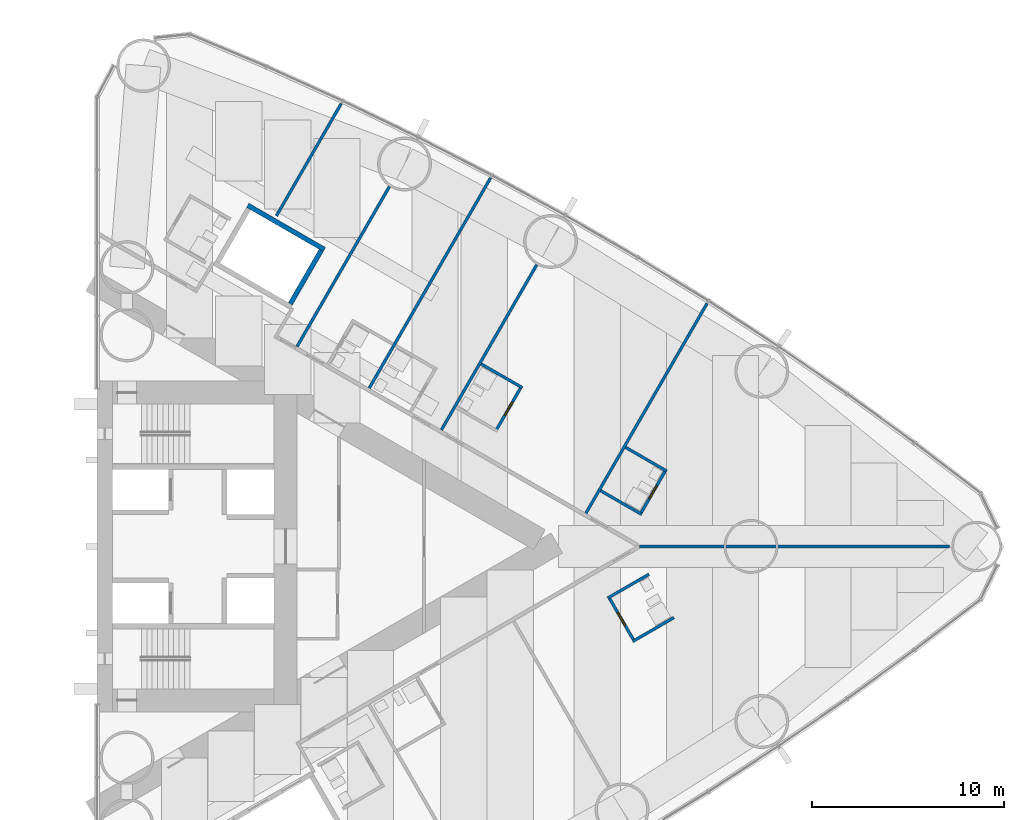
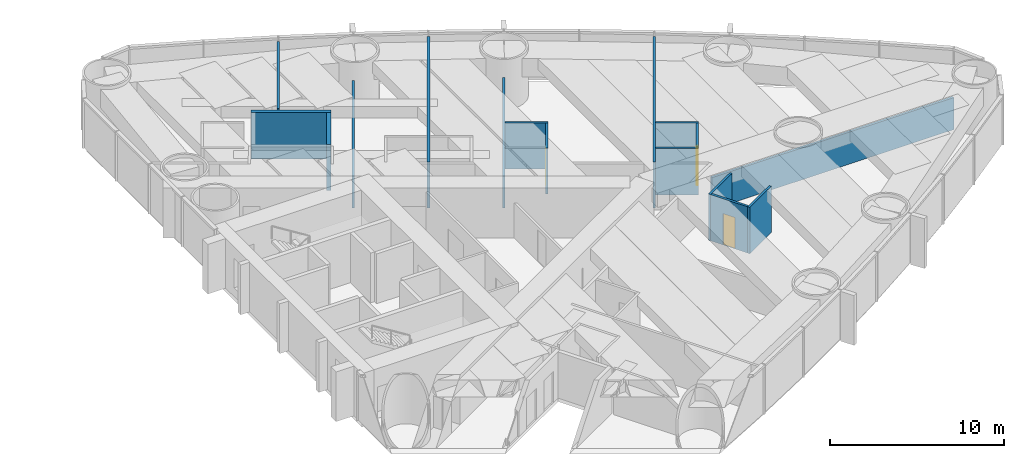
# One storey, part 15 of 18: 16 walls, 3 doors, 3 openings.
"""IFC4 building model written with IfcOpenShell, lengths in metres."""

from ifc_helpers import new_model, si_unit, direction, frame, frame_2d, origin, place, context, subcontext, project, spatial, rectangle, extrude, material, layer, layer_set, type_object, element, fill, save


model = new_model("IFC4")

# Units and contexts
model_context = context("Model", 3, precision=1e-05, world=origin(), true_north=direction((0.0, 1.0)))
body_context = subcontext(model_context, "Body", "Model", "MODEL_VIEW")
ifc_project = project(units=[si_unit("LENGTHUNIT", "METRE"), si_unit("AREAUNIT", "SQUARE_METRE"), si_unit("VOLUMEUNIT", "CUBIC_METRE"), si_unit("PLANEANGLEUNIT", "RADIAN"), si_unit("MASSUNIT", "GRAM", prefix="KILO")], contexts=[model_context])

# Site, building, storey
site_placement = place(None, origin())
site = spatial("IfcSite", under=ifc_project, at=site_placement, CompositionType="ELEMENT")
building_placement = place(site_placement, origin())
building = spatial("IfcBuilding", under=site, at=building_placement, Name="Lancet Gate Hotel", CompositionType="ELEMENT")
storey_placement = place(building_placement, frame((0.0, 0.0, 42.5)))
storey = spatial("IfcBuildingStorey", under=building, at=storey_placement, Name="L10", CompositionType="ELEMENT", Elevation=42.5)

# Wall
ifc_material_1 = material(Name="Moisture resistant board partition")
ifc_layer_1 = layer(ifc_material_1, 0.14990234375)
ifc_layer_set_1 = layer_set([ifc_layer_1], Name="Bathroom wall 150")
wall_type_1 = type_object("IfcWallType", Name="Bathroom wall 150", PredefinedType="PARTITIONING", material=ifc_layer_set_1)
wall_1_placement = place(storey_placement, frame((55.34912109375, -4.938232421875, 0.0), z_axis=(0.0, 0.0, 1.0), x_axis=(0.866006523861, 0.500032699561, 0.0)))
element("IfcWall", 1, at=wall_1_placement, inside=storey, type_object=wall_type_1, Name="T2 bathroom wall 150 L10", PredefinedType="PARTITIONING", context=body_context, shape_type="SweptSolid", body=[
    extrude(rectangle(XDim=2.474853515625, YDim=0.14990234375, at=frame_2d((1.2373046875, 0.0))), origin(), (0.0, 0.0, 1.0), 3.25),
])

# Wall, opening, door
wall_2_placement = place(storey_placement, frame((54.114013671875, -2.64892578125, 0.0), z_axis=(0.0, 0.0, 1.0), x_axis=(0.500006934395, -0.866021400173, 0.0)))
wall_2 = element("IfcWall", 2, at=wall_2_placement, inside=storey, type_object=wall_type_1, Name="T2 bathroom wall 150 L10", PredefinedType="PARTITIONING", context=body_context, shape_type="SweptSolid", body=[
    extrude(rectangle(XDim=2.60009765625, YDim=0.14990234375, at=frame_2d((1.300048828125, 0.0))), origin(), (0.0, 0.0, 1.0), 3.25),
])
opening_1_placement = place(wall_2_placement, frame((0.89990234375, 0.0, 0.0)))
opening_1 = element("IfcOpeningElement", 3, at=opening_1_placement, cuts=wall_2, Name="Opening 1056-B", PredefinedType="OPENING", context=body_context, shape_type="SweptSolid", body=[
    extrude(rectangle(XDim=0.800048828125, YDim=2.199951171875, at=frame_2d((0.39990234375, 1.10009765625))), frame((0.0, 0.0849609375, 0.0), z_axis=(0.0, -1.0, 0.0), x_axis=(1.0, 0.0, 0.0)), (0.0, 0.0, 1.0), 0.169921875),
])
ifc_material_2 = material(Name="Timber door set", Category="wood")
door_type = type_object("IfcDoorType", Name="Bathroom door 800", OperationType="SINGLE_SWING_RIGHT", PredefinedType="DOOR", material=ifc_material_2)
door_1_placement = place(opening_1_placement, origin())
door_1 = element("IfcDoor", 4, at=door_1_placement, inside=storey, type_object=door_type, Name="1056-B", OperationType="SINGLE_SWING_RIGHT", OverallHeight=2.199951171875, OverallWidth=0.800048828125, PredefinedType="DOOR", context=body_context, shape_type="SweptSolid", body=[
    extrude(rectangle(XDim=0.800048828125, YDim=2.199951171875, at=frame_2d((0.39990234375, 1.10009765625))), frame((0.0, 0.02490234375, 0.0), z_axis=(0.0, -1.0, 0.0), x_axis=(1.0, 0.0, 0.0)), (0.0, 0.0, 1.0), 0.050048828125),
])
fill(opening_1, door_1)

# Walls
for number, where, z_axis, x_axis, name in (
    (5, (54.049072265625, -2.6865234375, 0.0), (0.0, 0.0, 1.0), (0.866006523861, 0.500032699561, 0.0), "T2 bathroom wall 150 L10"),
    (6, (54.979736328125, 5.1513671875, 0.0), (0.0, 0.0, 1.0), (0.86604923931, -0.499958713387, 0.0), "T2 bathroom wall 150 L10"),
):
    element("IfcWall", number, at=place(storey_placement, frame(where, z_axis=z_axis, x_axis=x_axis)), inside=storey, type_object=wall_type_1, Name=name, PredefinedType="PARTITIONING", context=body_context, shape_type="SweptSolid", body=[
        extrude(rectangle(XDim=2.474853515625, YDim=0.14990234375, at=frame_2d((1.2373046875, 0.0))), origin(), (0.0, 0.0, 1.0), 3.25),
    ])

# Wall, opening, door
wall_3_placement = place(storey_placement, frame((55.758056640625, 1.69970703125, 0.0), z_axis=(0.0, 0.0, 1.0), x_axis=(0.500006934395, 0.866021400173, 0.0)))
wall_3 = element("IfcWall", 7, at=wall_3_placement, inside=storey, type_object=wall_type_1, Name="T2 bathroom wall 150 L10", PredefinedType="PARTITIONING", context=body_context, shape_type="SweptSolid", body=[
    extrude(rectangle(XDim=2.60009765625, YDim=0.14990234375, at=frame_2d((1.300048828125, 0.0))), origin(), (0.0, 0.0, 1.0), 3.25),
])
opening_2_placement = place(wall_3_placement, frame((0.89990234375, 0.0, 0.0)))
opening_2 = element("IfcOpeningElement", 8, at=opening_2_placement, cuts=wall_3, Name="Opening 1058-B", PredefinedType="OPENING", context=body_context, shape_type="SweptSolid", body=[
    extrude(rectangle(XDim=0.800048828125, YDim=2.199951171875, at=frame_2d((0.39990234375, 1.10009765625))), frame((0.0, 0.0849609375, 0.0), z_axis=(0.0, -1.0, 0.0), x_axis=(1.0, 0.0, 0.0)), (0.0, 0.0, 1.0), 0.169921875),
])
door_2_placement = place(opening_2_placement, origin())
door_2 = element("IfcDoor", 9, at=door_2_placement, inside=storey, type_object=door_type, Name="1058-B", OperationType="SINGLE_SWING_RIGHT", OverallHeight=2.199951171875, OverallWidth=0.800048828125, PredefinedType="DOOR", context=body_context, shape_type="SweptSolid", body=[
    extrude(rectangle(XDim=0.800048828125, YDim=2.199951171875, at=frame_2d((0.39990234375, 1.10009765625))), frame((0.0, 0.02490234375, 0.0), z_axis=(0.0, -1.0, 0.0), x_axis=(1.0, 0.0, 0.0)), (0.0, 0.0, 1.0), 0.050048828125),
])
fill(opening_2, door_2)

# Walls
for number, where, z_axis, x_axis, name in (
    (10, (53.6796875, 2.89990234375, 0.0), (0.0, 0.0, 1.0), (0.866006523861, -0.500032699561, 0.0), "T2 bathroom wall 150 L10"),
    (11, (47.468017578125, 9.48828125, 0.0), (0.0, 0.0, 1.0), (0.86604923931, -0.499958713387, 0.0), "T2 bathroom wall 150 L10"),
):
    element("IfcWall", number, at=place(storey_placement, frame(where, z_axis=z_axis, x_axis=x_axis)), inside=storey, type_object=wall_type_1, Name=name, PredefinedType="PARTITIONING", context=body_context, shape_type="SweptSolid", body=[
        extrude(rectangle(XDim=2.474853515625, YDim=0.14990234375, at=frame_2d((1.2373046875, 0.0))), origin(), (0.0, 0.0, 1.0), 3.25),
    ])

# Wall, opening, door
wall_4_placement = place(storey_placement, frame((48.246337890625, 6.03662109375, 0.0), z_axis=(0.0, 0.0, 1.0), x_axis=(0.500006934395, 0.866021400173, 0.0)))
wall_4 = element("IfcWall", 12, at=wall_4_placement, inside=storey, type_object=wall_type_1, Name="T2 bathroom wall 150 L10", PredefinedType="PARTITIONING", context=body_context, shape_type="SweptSolid", body=[
    extrude(rectangle(XDim=2.60009765625, YDim=0.14990234375, at=frame_2d((1.300048828125, 0.0))), origin(), (0.0, 0.0, 1.0), 3.25),
])
opening_3_placement = place(wall_4_placement, frame((0.89990234375, 0.0, 0.0)))
opening_3 = element("IfcOpeningElement", 13, at=opening_3_placement, cuts=wall_4, Name="Opening 1059-B", PredefinedType="OPENING", context=body_context, shape_type="SweptSolid", body=[
    extrude(rectangle(XDim=0.800048828125, YDim=2.199951171875, at=frame_2d((0.39990234375, 1.10009765625))), frame((0.0, 0.0849609375, 0.0), z_axis=(0.0, -1.0, 0.0), x_axis=(1.0, 0.0, 0.0)), (0.0, 0.0, 1.0), 0.169921875),
])
door_3_placement = place(opening_3_placement, origin())
door_3 = element("IfcDoor", 14, at=door_3_placement, inside=storey, type_object=door_type, Name="1059-B", OperationType="SINGLE_SWING_RIGHT", OverallHeight=2.199951171875, OverallWidth=0.800048828125, PredefinedType="DOOR", context=body_context, shape_type="SweptSolid", body=[
    extrude(rectangle(XDim=0.800048828125, YDim=2.199951171875, at=frame_2d((0.39990234375, 1.10009765625))), frame((0.0, 0.02490234375, 0.0), z_axis=(0.0, -1.0, 0.0), x_axis=(1.0, 0.0, 0.0)), (0.0, 0.0, 1.0), 0.050048828125),
])
fill(opening_3, door_3)

# Walls
ifc_material_3 = material(Name="Gypsum board partition")
ifc_layer_2 = layer(ifc_material_3, 0.25)
ifc_layer_set_2 = layer_set([ifc_layer_2], Name="Lift shaft partition 250")
wall_type_2 = type_object("IfcWallType", Name="Lift shaft partition 250", PredefinedType="PARTITIONING", material=ifc_layer_set_2)
wall_5_placement = place(storey_placement, frame((35.33349609375, 17.73583984375, 0.0), z_axis=(0.0, 0.0, 1.0), x_axis=(0.866043305498, -0.49996899204, 0.0)))
element("IfcWall", 15, at=wall_5_placement, inside=storey, type_object=wall_type_2, Name="T2 lift shaft wall EX L10", PredefinedType="PARTITIONING", context=body_context, shape_type="SweptSolid", body=[
    extrude(rectangle(XDim=4.600341796875, YDim=0.25, at=frame_2d((2.30029296875, 0.0))), origin(), (0.0, 0.0, 1.0), 3.25),
])
wall_6_placement = place(storey_placement, frame((37.546630859375, 12.617919921875, 0.0), z_axis=(0.0, 0.0, 1.0), x_axis=(0.499929347863, 0.866066190972, 0.0)))
element("IfcWall", 16, at=wall_6_placement, inside=storey, type_object=wall_type_2, Name="T2 lift shaft wall EX L10", PredefinedType="PARTITIONING", context=body_context, shape_type="SweptSolid", body=[
    extrude(rectangle(XDim=3.20068359375, YDim=0.25, at=frame_2d((1.600341796875, 0.0))), origin(), (0.0, 0.0, 1.0), 3.25),
])
ifc_material_4 = material(Name="Gypsum board partition")
ifc_layer_3 = layer(ifc_material_4, 0.14990234375)
ifc_layer_set_3 = layer_set([ifc_layer_3], Name="Party wall 150")
wall_type_3 = type_object("IfcWallType", Name="Party wall 150", PredefinedType="PARTITIONING", material=ifc_layer_set_3)
wall_7_placement = place(storey_placement, frame((37.895263671875, 10.396484375, 0.0), z_axis=(0.0, 0.0, 1.0), x_axis=(0.499995616528, 0.866027934568, 0.0)))
element("IfcWall", 17, at=wall_7_placement, inside=storey, type_object=wall_type_3, Name="T2 party wall 150 L10", PredefinedType="PARTITIONING", context=body_context, shape_type="SweptSolid", body=[
    extrude(rectangle(XDim=9.59326171875, YDim=0.14990234375, at=frame_2d((4.796630859375, 0.0))), origin(), (0.0, 0.0, 1.0), 2.25),
])
wall_8_placement = place(storey_placement, frame((41.6474609375, 8.22998046875, 0.0), z_axis=(0.0, 0.0, 1.0), x_axis=(0.49998590462, 0.866033541603, 0.0)))
element("IfcWall", 18, at=wall_8_placement, inside=storey, type_object=wall_type_3, Name="T2 party wall 150 L10", PredefinedType="PARTITIONING", context=body_context, shape_type="SweptSolid", body=[
    extrude(rectangle(XDim=12.620849609375, YDim=0.14990234375, at=frame_2d((6.310546875, 0.0))), origin(), (0.0, 0.0, 1.0), 3.25),
])
wall_9_placement = place(storey_placement, frame((45.40283203125, 6.061767578125, 0.0), z_axis=(0.0, 0.0, 1.0), x_axis=(0.500013434677, 0.866017647131, 0.0)))
element("IfcWall", 19, at=wall_9_placement, inside=storey, type_object=wall_type_3, Name="T2 party wall 150 L10", PredefinedType="PARTITIONING", context=body_context, shape_type="SweptSolid", body=[
    extrude(rectangle(XDim=9.901611328125, YDim=0.14990234375, at=frame_2d((4.95068359375, 0.0))), origin(), (0.0, 0.0, 1.0), 2.25),
])
wall_10_placement = place(storey_placement, frame((52.914794921875, 1.724853515625, 0.0), z_axis=(0.0, 0.0, 1.0), x_axis=(0.499997163113, 0.866027041656, 0.0)))
element("IfcWall", 20, at=wall_10_placement, inside=storey, type_object=wall_type_3, Name="T2 party wall 150 L10", PredefinedType="PARTITIONING", context=body_context, shape_type="SweptSolid", body=[
    extrude(rectangle(XDim=12.5908203125, YDim=0.14990234375, at=frame_2d((6.29541015625, 0.0))), origin(), (0.0, 0.0, 1.0), 3.25),
])
wall_11_placement = place(storey_placement, frame((55.7021484375, 0.0, 0.0), z_axis=(0.0, 0.0, 1.0), x_axis=(1.0, 0.0, 0.0)))
element("IfcWall", 21, at=wall_11_placement, inside=storey, type_object=wall_type_3, Name="T2 party wall 150 L10", PredefinedType="PARTITIONING", context=body_context, shape_type="SweptSolid", body=[
    extrude(rectangle(XDim=16.116943359375, YDim=0.14990234375, at=frame_2d((8.05859375, 0.0))), origin(), (0.0, 0.0, 1.0), 2.25),
])
wall_12_placement = place(storey_placement, frame((36.823974609375, 17.19287109375, 0.0), z_axis=(0.0, 0.0, 1.0), x_axis=(0.500027691974, 0.866009415226, 0.0)))
element("IfcWall", 22, at=wall_12_placement, inside=storey, type_object=wall_type_3, Name="T2 party wall 150 L10", PredefinedType="PARTITIONING", context=body_context, shape_type="SweptSolid", body=[
    extrude(rectangle(XDim=6.73876953125, YDim=0.14990234375, at=frame_2d((3.369384765625, 0.0))), origin(), (0.0, 0.0, 1.0), 3.25),
])

save(model, "model.ifc")
